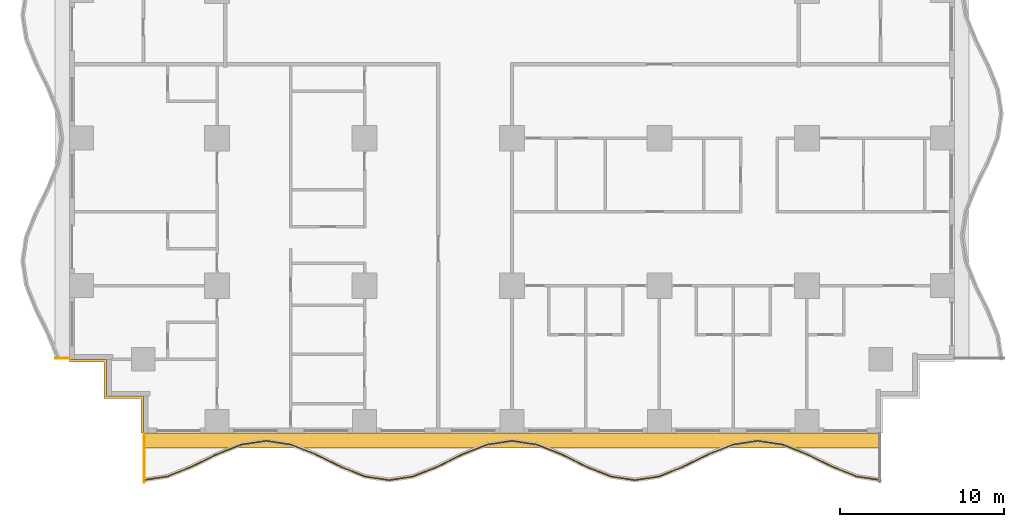
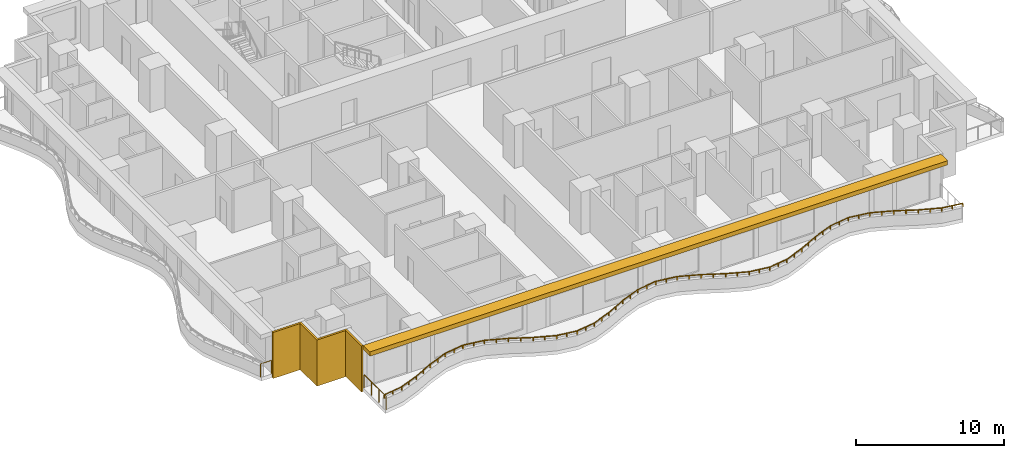
# One storey, part 8 of 14: 3 railings, 2 shading devices.
"""IFC4 building model written with IfcOpenShell, lengths in metres."""

from ifc_helpers import new_model, si_unit, direction, frame, origin, origin_2d, place, context, subcontext, project, spatial, polyline, rectangle, outline, extrude, material, layer, layer_set, type_object, element, save


model = new_model("IFC4")

# Units and contexts
model_context = context("Model", 3, precision=1e-05, world=origin(), true_north=direction((0.0, 1.0)))
body_context = subcontext(model_context, "Body", "Model", "MODEL_VIEW")
ifc_project = project(units=[si_unit("LENGTHUNIT", "METRE"), si_unit("AREAUNIT", "SQUARE_METRE"), si_unit("VOLUMEUNIT", "CUBIC_METRE"), si_unit("PLANEANGLEUNIT", "RADIAN"), si_unit("MASSUNIT", "GRAM", prefix="KILO")], contexts=[model_context])

# Site, building, storey
site_placement = place(None, origin())
site = spatial("IfcSite", under=ifc_project, at=site_placement, CompositionType="ELEMENT")
building_placement = place(site_placement, origin())
building = spatial("IfcBuilding", under=site, at=building_placement, Name="Orbiselva Terraces", CompositionType="ELEMENT")
storey_placement = place(building_placement, frame((0.0, 0.0, 22.6)))
storey = spatial("IfcBuildingStorey", under=building, at=storey_placement, Name="L05", CompositionType="ELEMENT", Elevation=22.6)

# Railings
ifc_material_1 = material(Name="Bonded two-ply safety glass balustrade, stainless steel posts", Category="steel")
railing_type_1 = type_object("IfcRailingType", Name="ENV-BALUSTRADE-1200", PredefinedType="BALUSTRADE", material=ifc_material_1)
railing_1_placement = place(storey_placement, frame((-22.518879, -25.376434, 0.9)))
element("IfcRailing", 1, at=railing_1_placement, inside=storey, type_object=railing_type_1, Name="Balcony balustrade L05 S", PredefinedType="BALUSTRADE", context=body_context, shape_type="SweptSolid", body=[
    extrude(outline(polyline([(0.028868, 0.0), (0.014434, 0.025), (-0.014434, 0.025), (-0.028868, 0.0), (-0.014434, -0.025), (0.014434, -0.025), (0.028868, 0.0)])), frame((0.0, 0.0, 0.275), z_axis=(0.988528552748, 0.151034103443, 0.0), x_axis=(-0.151034103443, 0.988528552748, 0.0)), (0.0, 0.0, 1.0), 1.503038),
    extrude(outline(polyline([(0.028868, 0.0), (0.014434, 0.025), (-0.014434, 0.025), (-0.028868, 0.0), (-0.014434, -0.025), (0.014434, -0.025), (0.028868, 0.0)])), frame((1.485796, 0.22701, 0.275), z_axis=(0.928476561272, 0.371391000387, 0.0), x_axis=(-0.371391000387, 0.928476561272, 0.0)), (0.0, 0.0, 1.0), 1.596261),
    extrude(outline(polyline([(0.028868, 0.0), (0.014434, 0.025), (-0.014434, 0.025), (-0.028868, 0.0), (-0.014434, -0.025), (0.014434, -0.025), (0.028868, 0.0)])), frame((2.967887, 0.819847, 0.275), z_axis=(0.896416672454, 0.443212307306, 0.0), x_axis=(-0.443212307306, 0.896416672454, 0.0)), (0.0, 0.0, 1.0), 1.673329),
    extrude(outline(polyline([(0.028868, 0.0), (0.014434, 0.025), (-0.014434, 0.025), (-0.028868, 0.0), (-0.014434, -0.025), (0.014434, -0.025), (0.028868, 0.0)])), frame((4.467887, 1.561487, 0.275), z_axis=(0.92847681744, 0.371390359967, 0.0), x_axis=(-0.371390359967, 0.92847681744, 0.0)), (0.0, 0.0, 1.0), 1.634838),
    extrude(outline(polyline([(0.028868, 0.0), (0.014434, 0.025), (-0.014434, 0.025), (-0.028868, 0.0), (-0.014434, -0.025), (0.014434, -0.025), (0.028868, 0.0)])), frame((5.985796, 2.16865, 0.275), z_axis=(0.988528536275, 0.151034211256, 0.0), x_axis=(-0.151034211256, 0.988528536275, 0.0)), (0.0, 0.0, 1.0), 1.550874),
    extrude(outline(polyline([(0.028868, 0.0), (0.014434, 0.025), (-0.014434, 0.025), (-0.028868, 0.0), (-0.014434, -0.025), (0.014434, -0.025), (0.028868, 0.0)])), frame((7.518879, 2.402885, 0.275), z_axis=(0.988528536275, -0.151034211256, 0.0), x_axis=(0.151034211256, 0.988528536275, 0.0)), (0.0, 0.0, 1.0), 1.550874),
    extrude(outline(polyline([(0.028868, 0.0), (0.014434, 0.025), (-0.014434, 0.025), (-0.028868, 0.0), (-0.014434, -0.025), (0.014434, -0.025), (0.028868, 0.0)])), frame((9.051962, 2.16865, 0.275), z_axis=(0.92847681744, -0.371390359967, 0.0), x_axis=(0.371390359967, 0.92847681744, 0.0)), (0.0, 0.0, 1.0), 1.634838),
    extrude(outline(polyline([(0.028868, 0.0), (0.014434, 0.025), (-0.014434, 0.025), (-0.028868, 0.0), (-0.014434, -0.025), (0.014434, -0.025), (0.028868, 0.0)])), frame((10.569871, 1.561487, 0.275), z_axis=(0.896416672454, -0.443212307306, 0.0), x_axis=(0.443212307306, 0.896416672454, 0.0)), (0.0, 0.0, 1.0), 1.673329),
    extrude(outline(polyline([(0.028868, 0.0), (0.014434, 0.025), (-0.014434, 0.025), (-0.028868, 0.0), (-0.014434, -0.025), (0.014434, -0.025), (0.028868, 0.0)])), frame((12.069871, 0.819847, 0.275), z_axis=(0.928476561272, -0.371391000387, 0.0), x_axis=(0.371391000387, 0.928476561272, 0.0)), (0.0, 0.0, 1.0), 1.596261),
    extrude(outline(polyline([(0.028868, 0.0), (0.014434, 0.025), (-0.014434, 0.025), (-0.028868, 0.0), (-0.014434, -0.025), (0.014434, -0.025), (0.028868, 0.0)])), frame((13.551962, 0.22701, 0.275), z_axis=(0.988528606898, -0.151033749027, 0.0), x_axis=(0.151033749027, 0.988528606898, 0.0)), (0.0, 0.0, 1.0), 1.48394),
    extrude(outline(polyline([(0.028868, 0.0), (0.014434, 0.025), (-0.014434, 0.025), (-0.028868, 0.0), (-0.014434, -0.025), (0.014434, -0.025), (0.028868, 0.0)])), frame((15.018879, 0.002885, 0.275), z_axis=(0.988528606898, 0.151033749027, 0.0), x_axis=(-0.151033749027, 0.988528606898, 0.0)), (0.0, 0.0, 1.0), 1.48394),
    extrude(outline(polyline([(0.028868, 0.0), (0.014434, 0.025), (-0.014434, 0.025), (-0.028868, 0.0), (-0.014434, -0.025), (0.014434, -0.025), (0.028868, 0.0)])), frame((16.485796, 0.22701, 0.275), z_axis=(0.928476561272, 0.371391000387, 0.0), x_axis=(-0.371391000387, 0.928476561272, 0.0)), (0.0, 0.0, 1.0), 1.596261),
    extrude(outline(polyline([(0.028868, 0.0), (0.014434, 0.025), (-0.014434, 0.025), (-0.028868, 0.0), (-0.014434, -0.025), (0.014434, -0.025), (0.028868, 0.0)])), frame((17.967887, 0.819847, 0.275), z_axis=(0.896416672454, 0.443212307306, 0.0), x_axis=(-0.443212307306, 0.896416672454, 0.0)), (0.0, 0.0, 1.0), 1.673329),
    extrude(outline(polyline([(0.028868, 0.0), (0.014434, 0.025), (-0.014434, 0.025), (-0.028868, 0.0), (-0.014434, -0.025), (0.014434, -0.025), (0.028868, 0.0)])), frame((19.467887, 1.561487, 0.275), z_axis=(0.92847681744, 0.371390359967, 0.0), x_axis=(-0.371390359967, 0.92847681744, 0.0)), (0.0, 0.0, 1.0), 1.634838),
    extrude(outline(polyline([(0.028868, 0.0), (0.014434, 0.025), (-0.014434, 0.025), (-0.028868, 0.0), (-0.014434, -0.025), (0.014434, -0.025), (0.028868, 0.0)])), frame((20.985796, 2.16865, 0.275), z_axis=(0.988528536275, 0.151034211256, 0.0), x_axis=(-0.151034211256, 0.988528536275, 0.0)), (0.0, 0.0, 1.0), 1.550874),
    extrude(outline(polyline([(0.028868, 0.0), (0.014434, 0.025), (-0.014434, 0.025), (-0.028868, 0.0), (-0.014434, -0.025), (0.014434, -0.025), (0.028868, 0.0)])), frame((22.518879, 2.402885, 0.275), z_axis=(0.988528536275, -0.151034211256, 0.0), x_axis=(0.151034211256, 0.988528536275, 0.0)), (0.0, 0.0, 1.0), 1.550874),
    extrude(outline(polyline([(0.028868, 0.0), (0.014434, 0.025), (-0.014434, 0.025), (-0.028868, 0.0), (-0.014434, -0.025), (0.014434, -0.025), (0.028868, 0.0)])), frame((24.051962, 2.16865, 0.275), z_axis=(0.92847681744, -0.371390359967, 0.0), x_axis=(0.371390359967, 0.92847681744, 0.0)), (0.0, 0.0, 1.0), 1.634838),
    extrude(outline(polyline([(0.028868, 0.0), (0.014434, 0.025), (-0.014434, 0.025), (-0.028868, 0.0), (-0.014434, -0.025), (0.014434, -0.025), (0.028868, 0.0)])), frame((25.569871, 1.561487, 0.275), z_axis=(0.896416672454, -0.443212307306, 0.0), x_axis=(0.443212307306, 0.896416672454, 0.0)), (0.0, 0.0, 1.0), 1.673329),
    extrude(outline(polyline([(0.028868, 0.0), (0.014434, 0.025), (-0.014434, 0.025), (-0.028868, 0.0), (-0.014434, -0.025), (0.014434, -0.025), (0.028868, 0.0)])), frame((27.069871, 0.819847, 0.275), z_axis=(0.928476561272, -0.371391000387, 0.0), x_axis=(0.371391000387, 0.928476561272, 0.0)), (0.0, 0.0, 1.0), 1.596261),
    extrude(outline(polyline([(0.028868, 0.0), (0.014434, 0.025), (-0.014434, 0.025), (-0.028868, 0.0), (-0.014434, -0.025), (0.014434, -0.025), (0.028868, 0.0)])), frame((28.551962, 0.22701, 0.275), z_axis=(0.988528606898, -0.151033749027, 0.0), x_axis=(0.151033749027, 0.988528606898, 0.0)), (0.0, 0.0, 1.0), 1.48394),
    extrude(outline(polyline([(0.028868, 0.0), (0.014434, 0.025), (-0.014434, 0.025), (-0.028868, 0.0), (-0.014434, -0.025), (0.014434, -0.025), (0.028868, 0.0)])), frame((30.018879, 0.002885, 0.275), z_axis=(0.988528606898, 0.151033749027, 0.0), x_axis=(-0.151033749027, 0.988528606898, 0.0)), (0.0, 0.0, 1.0), 1.48394),
    extrude(outline(polyline([(0.028868, 0.0), (0.014434, 0.025), (-0.014434, 0.025), (-0.028868, 0.0), (-0.014434, -0.025), (0.014434, -0.025), (0.028868, 0.0)])), frame((31.485796, 0.22701, 0.275), z_axis=(0.928476561272, 0.371391000387, 0.0), x_axis=(-0.371391000387, 0.928476561272, 0.0)), (0.0, 0.0, 1.0), 1.596261),
    extrude(outline(polyline([(0.028868, 0.0), (0.014434, 0.025), (-0.014434, 0.025), (-0.028868, 0.0), (-0.014434, -0.025), (0.014434, -0.025), (0.028868, 0.0)])), frame((32.967887, 0.819847, 0.275), z_axis=(0.896416672454, 0.443212307306, 0.0), x_axis=(-0.443212307306, 0.896416672454, 0.0)), (0.0, 0.0, 1.0), 1.673329),
    extrude(outline(polyline([(0.028868, 0.0), (0.014434, 0.025), (-0.014434, 0.025), (-0.028868, 0.0), (-0.014434, -0.025), (0.014434, -0.025), (0.028868, 0.0)])), frame((34.467887, 1.561487, 0.275), z_axis=(0.92847681744, 0.371390359967, 0.0), x_axis=(-0.371390359967, 0.92847681744, 0.0)), (0.0, 0.0, 1.0), 1.634838),
    extrude(outline(polyline([(0.028868, 0.0), (0.014434, 0.025), (-0.014434, 0.025), (-0.028868, 0.0), (-0.014434, -0.025), (0.014434, -0.025), (0.028868, 0.0)])), frame((35.985796, 2.16865, 0.275), z_axis=(0.988528536275, 0.151034211256, 0.0), x_axis=(-0.151034211256, 0.988528536275, 0.0)), (0.0, 0.0, 1.0), 1.550874),
    extrude(outline(polyline([(0.028868, 0.0), (0.014434, 0.025), (-0.014434, 0.025), (-0.028868, 0.0), (-0.014434, -0.025), (0.014434, -0.025), (0.028868, 0.0)])), frame((37.518879, 2.402885, 0.275), z_axis=(0.988528536275, -0.151034211256, 0.0), x_axis=(0.151034211256, 0.988528536275, 0.0)), (0.0, 0.0, 1.0), 1.550874),
    extrude(outline(polyline([(0.028868, 0.0), (0.014434, 0.025), (-0.014434, 0.025), (-0.028868, 0.0), (-0.014434, -0.025), (0.014434, -0.025), (0.028868, 0.0)])), frame((39.051962, 2.16865, 0.275), z_axis=(0.92847681744, -0.371390359967, 0.0), x_axis=(0.371390359967, 0.92847681744, 0.0)), (0.0, 0.0, 1.0), 1.634838),
    extrude(outline(polyline([(0.028868, 0.0), (0.014434, 0.025), (-0.014434, 0.025), (-0.028868, 0.0), (-0.014434, -0.025), (0.014434, -0.025), (0.028868, 0.0)])), frame((40.569871, 1.561487, 0.275), z_axis=(0.896416672454, -0.443212307306, 0.0), x_axis=(0.443212307306, 0.896416672454, 0.0)), (0.0, 0.0, 1.0), 1.673329),
    extrude(outline(polyline([(0.028868, 0.0), (0.014434, 0.025), (-0.014434, 0.025), (-0.028868, 0.0), (-0.014434, -0.025), (0.014434, -0.025), (0.028868, 0.0)])), frame((42.069871, 0.819847, 0.275), z_axis=(0.928476561272, -0.371391000387, 0.0), x_axis=(0.371391000387, 0.928476561272, 0.0)), (0.0, 0.0, 1.0), 1.596261),
    extrude(outline(polyline([(0.028868, 0.0), (0.014434, 0.025), (-0.014434, 0.025), (-0.028868, 0.0), (-0.014434, -0.025), (0.014434, -0.025), (0.028868, 0.0)])), frame((43.551962, 0.22701, 0.275), z_axis=(0.988528552748, -0.151034103443, 0.0), x_axis=(0.151034103443, 0.988528552748, 0.0)), (0.0, 0.0, 1.0), 1.503038),
    extrude(rectangle(XDim=0.05, YDim=0.05, at=origin_2d()), origin(), (0.0, 0.0, 1.0), 0.25),
    extrude(rectangle(XDim=0.05, YDim=0.05, at=origin_2d()), frame((0.742898, 0.113505, 0.0)), (0.0, 0.0, 1.0), 0.25),
    extrude(rectangle(XDim=0.05, YDim=0.05, at=origin_2d()), frame((1.485796, 0.22701, 0.0)), (0.0, 0.0, 1.0), 0.25),
    extrude(rectangle(XDim=0.05, YDim=0.05, at=origin_2d()), frame((2.226841, 0.523428, 0.0)), (0.0, 0.0, 1.0), 0.25),
    extrude(rectangle(XDim=0.05, YDim=0.05, at=origin_2d()), frame((2.967887, 0.819847, 0.0)), (0.0, 0.0, 1.0), 0.25),
    extrude(rectangle(XDim=0.05, YDim=0.05, at=origin_2d()), frame((3.717887, 1.190667, 0.0)), (0.0, 0.0, 1.0), 0.25),
    extrude(rectangle(XDim=0.05, YDim=0.05, at=origin_2d()), frame((4.467887, 1.561487, 0.0)), (0.0, 0.0, 1.0), 0.25),
    extrude(rectangle(XDim=0.05, YDim=0.05, at=origin_2d()), frame((5.226841, 1.865068, 0.0)), (0.0, 0.0, 1.0), 0.25),
    extrude(rectangle(XDim=0.05, YDim=0.05, at=origin_2d()), frame((5.985796, 2.16865, 0.0)), (0.0, 0.0, 1.0), 0.25),
    extrude(rectangle(XDim=0.05, YDim=0.05, at=origin_2d()), frame((6.752337, 2.285768, 0.0)), (0.0, 0.0, 1.0), 0.25),
    extrude(rectangle(XDim=0.05, YDim=0.05, at=origin_2d()), frame((7.518879, 2.402885, 0.0)), (0.0, 0.0, 1.0), 0.25),
    extrude(rectangle(XDim=0.05, YDim=0.05, at=origin_2d()), frame((8.28542, 2.285768, 0.0)), (0.0, 0.0, 1.0), 0.25),
    extrude(rectangle(XDim=0.05, YDim=0.05, at=origin_2d()), frame((9.051962, 2.16865, 0.0)), (0.0, 0.0, 1.0), 0.25),
    extrude(rectangle(XDim=0.05, YDim=0.05, at=origin_2d()), frame((9.810916, 1.865068, 0.0)), (0.0, 0.0, 1.0), 0.25),
    extrude(rectangle(XDim=0.05, YDim=0.05, at=origin_2d()), frame((10.569871, 1.561487, 0.0)), (0.0, 0.0, 1.0), 0.25),
    extrude(rectangle(XDim=0.05, YDim=0.05, at=origin_2d()), frame((11.319871, 1.190667, 0.0)), (0.0, 0.0, 1.0), 0.25),
    extrude(rectangle(XDim=0.05, YDim=0.05, at=origin_2d()), frame((12.069871, 0.819847, 0.0)), (0.0, 0.0, 1.0), 0.25),
    extrude(rectangle(XDim=0.05, YDim=0.05, at=origin_2d()), frame((12.810916, 0.523428, 0.0)), (0.0, 0.0, 1.0), 0.25),
    extrude(rectangle(XDim=0.05, YDim=0.05, at=origin_2d()), frame((13.551962, 0.22701, 0.0)), (0.0, 0.0, 1.0), 0.25),
    extrude(rectangle(XDim=0.05, YDim=0.05, at=origin_2d()), frame((14.28542, 0.114947, 0.0)), (0.0, 0.0, 1.0), 0.25),
    extrude(rectangle(XDim=0.05, YDim=0.05, at=origin_2d()), frame((15.018879, 0.002885, 0.0)), (0.0, 0.0, 1.0), 0.25),
    extrude(rectangle(XDim=0.05, YDim=0.05, at=origin_2d()), frame((15.752337, 0.114947, 0.0)), (0.0, 0.0, 1.0), 0.25),
    extrude(rectangle(XDim=0.05, YDim=0.05, at=origin_2d()), frame((16.485796, 0.22701, 0.0)), (0.0, 0.0, 1.0), 0.25),
    extrude(rectangle(XDim=0.05, YDim=0.05, at=origin_2d()), frame((17.226842, 0.523428, 0.0)), (0.0, 0.0, 1.0), 0.25),
    extrude(rectangle(XDim=0.05, YDim=0.05, at=origin_2d()), frame((17.967887, 0.819847, 0.0)), (0.0, 0.0, 1.0), 0.25),
    extrude(rectangle(XDim=0.05, YDim=0.05, at=origin_2d()), frame((18.717887, 1.190667, 0.0)), (0.0, 0.0, 1.0), 0.25),
    extrude(rectangle(XDim=0.05, YDim=0.05, at=origin_2d()), frame((19.467887, 1.561487, 0.0)), (0.0, 0.0, 1.0), 0.25),
    extrude(rectangle(XDim=0.05, YDim=0.05, at=origin_2d()), frame((20.226842, 1.865068, 0.0)), (0.0, 0.0, 1.0), 0.25),
    extrude(rectangle(XDim=0.05, YDim=0.05, at=origin_2d()), frame((20.985796, 2.16865, 0.0)), (0.0, 0.0, 1.0), 0.25),
    extrude(rectangle(XDim=0.05, YDim=0.05, at=origin_2d()), frame((21.752337, 2.285768, 0.0)), (0.0, 0.0, 1.0), 0.25),
    extrude(rectangle(XDim=0.05, YDim=0.05, at=origin_2d()), frame((22.518879, 2.402885, 0.0)), (0.0, 0.0, 1.0), 0.25),
    extrude(rectangle(XDim=0.05, YDim=0.05, at=origin_2d()), frame((23.28542, 2.285768, 0.0)), (0.0, 0.0, 1.0), 0.25),
    extrude(rectangle(XDim=0.05, YDim=0.05, at=origin_2d()), frame((24.051962, 2.16865, 0.0)), (0.0, 0.0, 1.0), 0.25),
    extrude(rectangle(XDim=0.05, YDim=0.05, at=origin_2d()), frame((24.810916, 1.865068, 0.0)), (0.0, 0.0, 1.0), 0.25),
    extrude(rectangle(XDim=0.05, YDim=0.05, at=origin_2d()), frame((25.569871, 1.561487, 0.0)), (0.0, 0.0, 1.0), 0.25),
    extrude(rectangle(XDim=0.05, YDim=0.05, at=origin_2d()), frame((26.319871, 1.190667, 0.0)), (0.0, 0.0, 1.0), 0.25),
    extrude(rectangle(XDim=0.05, YDim=0.05, at=origin_2d()), frame((27.069871, 0.819847, 0.0)), (0.0, 0.0, 1.0), 0.25),
    extrude(rectangle(XDim=0.05, YDim=0.05, at=origin_2d()), frame((27.810916, 0.523428, 0.0)), (0.0, 0.0, 1.0), 0.25),
    extrude(rectangle(XDim=0.05, YDim=0.05, at=origin_2d()), frame((28.551962, 0.22701, 0.0)), (0.0, 0.0, 1.0), 0.25),
    extrude(rectangle(XDim=0.05, YDim=0.05, at=origin_2d()), frame((29.28542, 0.114947, 0.0)), (0.0, 0.0, 1.0), 0.25),
    extrude(rectangle(XDim=0.05, YDim=0.05, at=origin_2d()), frame((30.018879, 0.002885, 0.0)), (0.0, 0.0, 1.0), 0.25),
    extrude(rectangle(XDim=0.05, YDim=0.05, at=origin_2d()), frame((30.752338, 0.114947, 0.0)), (0.0, 0.0, 1.0), 0.25),
    extrude(rectangle(XDim=0.05, YDim=0.05, at=origin_2d()), frame((31.485796, 0.22701, 0.0)), (0.0, 0.0, 1.0), 0.25),
    extrude(rectangle(XDim=0.05, YDim=0.05, at=origin_2d()), frame((32.226842, 0.523428, 0.0)), (0.0, 0.0, 1.0), 0.25),
    extrude(rectangle(XDim=0.05, YDim=0.05, at=origin_2d()), frame((32.967887, 0.819847, 0.0)), (0.0, 0.0, 1.0), 0.25),
    extrude(rectangle(XDim=0.05, YDim=0.05, at=origin_2d()), frame((33.717887, 1.190667, 0.0)), (0.0, 0.0, 1.0), 0.25),
    extrude(rectangle(XDim=0.05, YDim=0.05, at=origin_2d()), frame((34.467887, 1.561487, 0.0)), (0.0, 0.0, 1.0), 0.25),
    extrude(rectangle(XDim=0.05, YDim=0.05, at=origin_2d()), frame((35.226842, 1.865068, 0.0)), (0.0, 0.0, 1.0), 0.25),
    extrude(rectangle(XDim=0.05, YDim=0.05, at=origin_2d()), frame((35.985796, 2.16865, 0.0)), (0.0, 0.0, 1.0), 0.25),
    extrude(rectangle(XDim=0.05, YDim=0.05, at=origin_2d()), frame((36.752337, 2.285768, 0.0)), (0.0, 0.0, 1.0), 0.25),
    extrude(rectangle(XDim=0.05, YDim=0.05, at=origin_2d()), frame((37.518879, 2.402885, 0.0)), (0.0, 0.0, 1.0), 0.25),
    extrude(rectangle(XDim=0.05, YDim=0.05, at=origin_2d()), frame((38.28542, 2.285768, 0.0)), (0.0, 0.0, 1.0), 0.25),
    extrude(rectangle(XDim=0.05, YDim=0.05, at=origin_2d()), frame((39.051962, 2.16865, 0.0)), (0.0, 0.0, 1.0), 0.25),
    extrude(rectangle(XDim=0.05, YDim=0.05, at=origin_2d()), frame((39.810917, 1.865068, 0.0)), (0.0, 0.0, 1.0), 0.25),
    extrude(rectangle(XDim=0.05, YDim=0.05, at=origin_2d()), frame((40.569871, 1.561487, 0.0)), (0.0, 0.0, 1.0), 0.25),
    extrude(rectangle(XDim=0.05, YDim=0.05, at=origin_2d()), frame((41.319871, 1.190667, 0.0)), (0.0, 0.0, 1.0), 0.25),
    extrude(rectangle(XDim=0.05, YDim=0.05, at=origin_2d()), frame((42.069871, 0.819847, 0.0)), (0.0, 0.0, 1.0), 0.25),
    extrude(rectangle(XDim=0.05, YDim=0.05, at=origin_2d()), frame((42.810917, 0.523428, 0.0)), (0.0, 0.0, 1.0), 0.25),
    extrude(rectangle(XDim=0.05, YDim=0.05, at=origin_2d()), frame((43.551962, 0.22701, 0.0)), (0.0, 0.0, 1.0), 0.25),
    extrude(rectangle(XDim=0.05, YDim=0.05, at=origin_2d()), frame((44.29486, 0.113505, 0.0)), (0.0, 0.0, 1.0), 0.25),
    extrude(rectangle(XDim=0.05, YDim=0.05, at=origin_2d()), frame((45.037758, 0.0, 0.0)), (0.0, 0.0, 1.0), 0.25),
])
ifc_material_2 = material(Name="Stainless steel rail and posts", Category="steel")
railing_type_2 = type_object("IfcRailingType", Name="ENV-GUARD-1105", PredefinedType="BALUSTRADE", material=ifc_material_2)
railing_2_placement = place(storey_placement, frame((-22.44, -25.499621, 0.0)))
element("IfcRailing", 2, at=railing_2_placement, inside=storey, type_object=railing_type_2, Name="Balcony end guard L05 S", PredefinedType="BALUSTRADE", context=body_context, shape_type="SweptSolid", body=[
    extrude(outline(polyline([(0.028868, 0.0), (0.014434, 0.025), (-0.014434, 0.025), (-0.028868, 0.0), (-0.014434, -0.025), (0.014434, -0.025), (0.028868, 0.0)])), frame((0.0, 0.0, 1.08), z_axis=(0.0, 1.0, 0.0), x_axis=(-1.0, 0.0, 0.0)), (0.0, 0.0, 1.0), 2.974621),
    extrude(rectangle(XDim=0.05, YDim=0.05, at=origin_2d()), origin(), (0.0, 0.0, 1.0), 1.055),
    extrude(rectangle(XDim=0.05, YDim=0.05, at=origin_2d()), frame((0.0, 0.99154, 0.0)), (0.0, 0.0, 1.0), 1.055),
    extrude(rectangle(XDim=0.05, YDim=0.05, at=origin_2d()), frame((0.0, 1.983081, 0.0)), (0.0, 0.0, 1.0), 1.055),
    extrude(rectangle(XDim=0.05, YDim=0.05, at=origin_2d()), frame((0.0, 2.974621, 0.0)), (0.0, 0.0, 1.0), 1.055),
])
railing_3_placement = place(storey_placement, frame((-27.847212, -17.94, 0.0)))
element("IfcRailing", 3, at=railing_3_placement, inside=storey, type_object=railing_type_2, Name="Balcony end guard L05 W", PredefinedType="BALUSTRADE", context=body_context, shape_type="SweptSolid", body=[
    extrude(outline(polyline([(0.028868, 0.0), (0.014434, 0.025), (-0.014434, 0.025), (-0.028868, 0.0), (-0.014434, -0.025), (0.014434, -0.025), (0.028868, 0.0)])), frame((0.0, 0.0, 1.08), z_axis=(1.0, 0.0, 0.0), x_axis=(0.0, 1.0, 0.0)), (0.0, 0.0, 1.0), 0.822212),
    extrude(rectangle(XDim=0.05, YDim=0.05, at=origin_2d()), origin(), (0.0, 0.0, 1.0), 1.055),
    extrude(rectangle(XDim=0.05, YDim=0.05, at=origin_2d()), frame((0.822212, 0.0, 0.0)), (0.0, 0.0, 1.0), 1.055),
])

# Shading devices
ifc_material_3 = material(Name="Terracotta louvre screen", Category="masonry")
ifc_layer_1 = layer(ifc_material_3, 0.15)
ifc_layer_set_1 = layer_set([ifc_layer_1], Name="Terracotta louvre screen")
shading_device_type_1 = type_object("IfcShadingDeviceType", Name="ENV-SCREEN-150", PredefinedType="USERDEFINED", material=ifc_layer_set_1)
shading_device_1_placement = place(storey_placement, frame((0.0, 0.0, -0.3)))
element("IfcShadingDevice", 4, at=shading_device_1_placement, inside=storey, type_object=shading_device_type_1, Name="Louvre screen L05 SW", ObjectType="SCREEN", PredefinedType="USERDEFINED", context=body_context, shape_type="SweptSolid", body=[
    extrude(outline(polyline([(-27.0, -18.15), (-24.9, -18.15), (-24.9, -20.4), (-22.65, -20.4), (-22.65, -22.5), (-22.5, -22.5), (-22.5, -20.25), (-24.75, -20.25), (-24.75, -18.0), (-27.0, -18.0), (-27.0, -18.15)])), origin(), (0.0, 0.0, 1.0), 3.8),
])
ifc_material_4 = material(Name="Terracotta baguette sunshade", Category="masonry")
ifc_layer_2 = layer(ifc_material_4, 0.35)
ifc_layer_set_2 = layer_set([ifc_layer_2], Name="Terracotta baguette sunshade")
shading_device_type_2 = type_object("IfcShadingDeviceType", Name="ENV-SUNSHADE-900x350", PredefinedType="USERDEFINED", material=ifc_layer_set_2)
shading_device_2_placement = place(storey_placement, frame((0.0, 0.0, 3.15)))
element("IfcShadingDevice", 5, at=shading_device_2_placement, inside=storey, type_object=shading_device_type_2, Name="Sunshade band L05 S", ObjectType="SUNSHADE", PredefinedType="USERDEFINED", context=body_context, shape_type="SweptSolid", body=[
    extrude(outline(polyline([(-22.5, -23.4), (22.5, -23.4), (22.5, -22.5), (-22.5, -22.5), (-22.5, -23.4)])), origin(), (0.0, 0.0, 1.0), 0.35),
])

save(model, "model.ifc")
